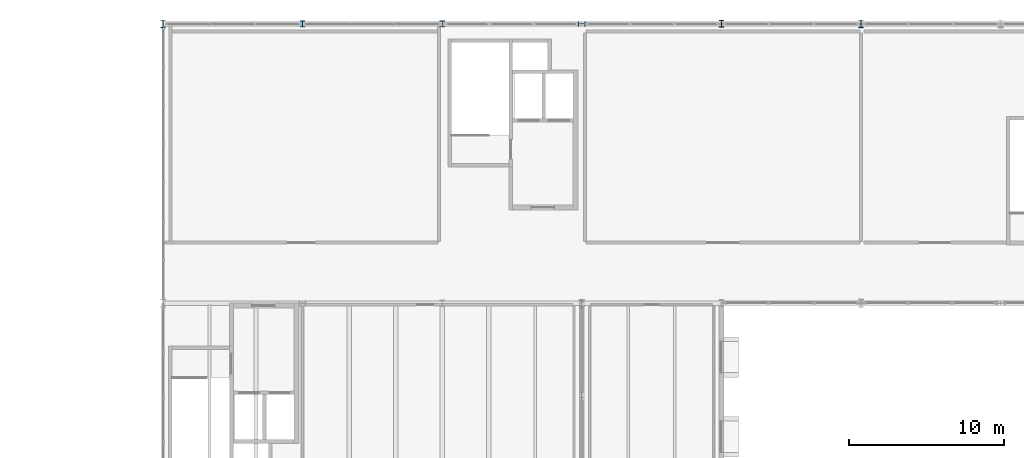
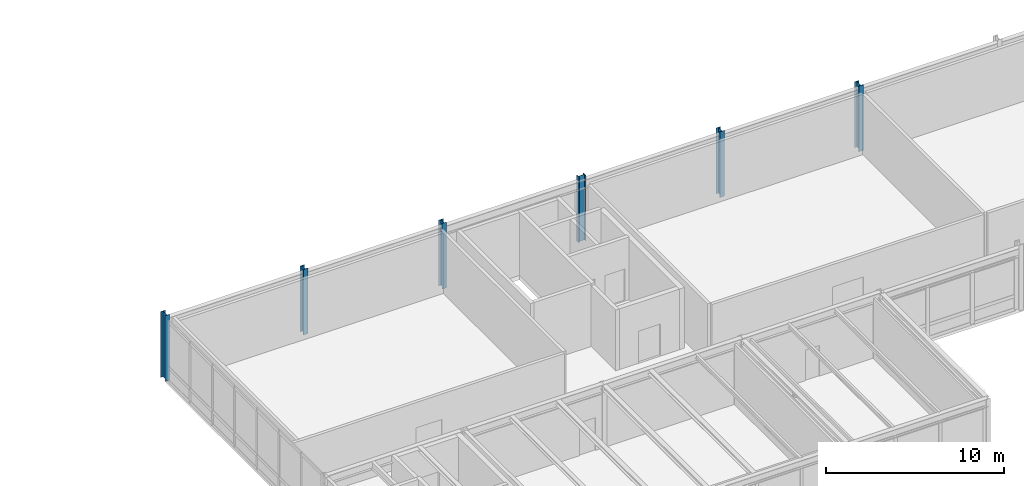
# One storey, part 7 of 67: 6 columns.
"""IFC4 building model written with IfcOpenShell, lengths in metres."""

from ifc_helpers import new_model, si_unit, direction, frame, origin, origin_2d, place, context, subcontext, project, spatial, i_section, extrude, material, material_profile, profile_set, type_object, element, save


model = new_model("IFC4")

# Units and contexts
model_context = context("Model", 3, precision=1e-05, world=origin(), true_north=direction((0.0, 1.0)))
body_context = subcontext(model_context, "Body", "Model", "MODEL_VIEW")
ifc_project = project(units=[si_unit("LENGTHUNIT", "METRE"), si_unit("AREAUNIT", "SQUARE_METRE"), si_unit("VOLUMEUNIT", "CUBIC_METRE"), si_unit("PLANEANGLEUNIT", "RADIAN"), si_unit("MASSUNIT", "GRAM", prefix="KILO")], contexts=[model_context])

# Site, building, storey
site_placement = place(None, origin())
site = spatial("IfcSite", under=ifc_project, at=site_placement, CompositionType="ELEMENT")
building_placement = place(site_placement, origin())
building = spatial("IfcBuilding", under=site, at=building_placement, Name="Montelvaro Courts of Justice", CompositionType="ELEMENT")
storey_placement = place(building_placement, frame((0.0, 0.0, 18.89990234375)))
storey = spatial("IfcBuildingStorey", under=building, at=storey_placement, Name="L04", CompositionType="ELEMENT", Elevation=18.89990234375)

# Columns
ifc_material = material(Name="Steel S355", Category="steel")
ifc_material_profile_1 = material_profile(ifc_material, i_section(OverallWidth=0.300048828125, OverallDepth=0.39990234375, WebThickness=0.013427734375, FlangeThickness=0.02392578125, at=origin_2d()), Name="HEB 400")
ifc_profile_set_1 = profile_set([ifc_material_profile_1], Name="Steel S355")
column_type_1 = type_object("IfcColumnType", Name="Col_HEB400", PredefinedType="COLUMN", material=ifc_profile_set_1)
for number, where, z_axis, x_axis, name in (
    (1, (108.0, 96.0, 0.0), (0.0, 0.0, 1.0), (1.0, 0.0, 0.0), "Column C-07 L04 13/H"),
    (2, (117.0, 96.0, 0.0), (0.0, 0.0, 1.0), (1.0, 0.0, 0.0), "Column C-07 L04 14/H"),
):
    element("IfcColumn", number, at=place(storey_placement, frame(where, z_axis=z_axis, x_axis=x_axis)), inside=storey, type_object=column_type_1, Name=name, PredefinedType="COLUMN", context=body_context, shape_type="SweptSolid", body=[
        extrude(i_section(OverallWidth=0.300048828125, OverallDepth=0.39990234375, WebThickness=0.013427734375, FlangeThickness=0.02392578125, at=origin_2d()), origin(), (0.0, 0.0, 1.0), 4.5),
    ])
ifc_material_profile_2 = material_profile(ifc_material, i_section(OverallWidth=0.300048828125, OverallDepth=0.449951171875, WebThickness=0.013916015625, FlangeThickness=0.02587890625, at=origin_2d()), Name="HEB 450")
ifc_profile_set_2 = profile_set([ifc_material_profile_2], Name="Steel S355")
column_type_2 = type_object("IfcColumnType", Name="Col_HEB450", PredefinedType="COLUMN", material=ifc_profile_set_2)
for number, where, z_axis, x_axis, name in (
    (3, (126.0, 96.0, 0.0), (0.0, 0.0, 1.0), (0.0, 1.0, 0.0), "Column C-08 L04 15/H"),
    (4, (135.0, 96.0, 0.0), (0.0, 0.0, 1.0), (1.0, 0.0, 0.0), "Column C-08 L04 16/H"),
):
    element("IfcColumn", number, at=place(storey_placement, frame(where, z_axis=z_axis, x_axis=x_axis)), inside=storey, type_object=column_type_2, Name=name, PredefinedType="COLUMN", context=body_context, shape_type="SweptSolid", body=[
        extrude(i_section(OverallWidth=0.300048828125, OverallDepth=0.449951171875, WebThickness=0.013916015625, FlangeThickness=0.02587890625, at=origin_2d()), origin(), (0.0, 0.0, 1.0), 4.5),
    ])
ifc_material_profile_3 = material_profile(ifc_material, i_section(OverallWidth=0.300048828125, OverallDepth=0.5, WebThickness=0.014404296875, FlangeThickness=0.028076171875, at=origin_2d()), Name="HEB 500")
ifc_profile_set_3 = profile_set([ifc_material_profile_3], Name="Steel S355")
column_type_3 = type_object("IfcColumnType", Name="Col_HEB500", PredefinedType="COLUMN", material=ifc_profile_set_3)
for number, where, z_axis, x_axis, name in (
    (5, (99.0, 96.0, 0.0), (0.0, 0.0, 1.0), (1.0, 0.0, 0.0), "Column C-09 L04 12/H"),
    (6, (144.0, 96.0, 0.0), (0.0, 0.0, 1.0), (1.0, 0.0, 0.0), "Column C-09 L04 17/H"),
):
    element("IfcColumn", number, at=place(storey_placement, frame(where, z_axis=z_axis, x_axis=x_axis)), inside=storey, type_object=column_type_3, Name=name, PredefinedType="COLUMN", context=body_context, shape_type="SweptSolid", body=[
        extrude(i_section(OverallWidth=0.300048828125, OverallDepth=0.5, WebThickness=0.014404296875, FlangeThickness=0.028076171875, at=origin_2d()), origin(), (0.0, 0.0, 1.0), 4.5),
    ])

save(model, "model.ifc")
